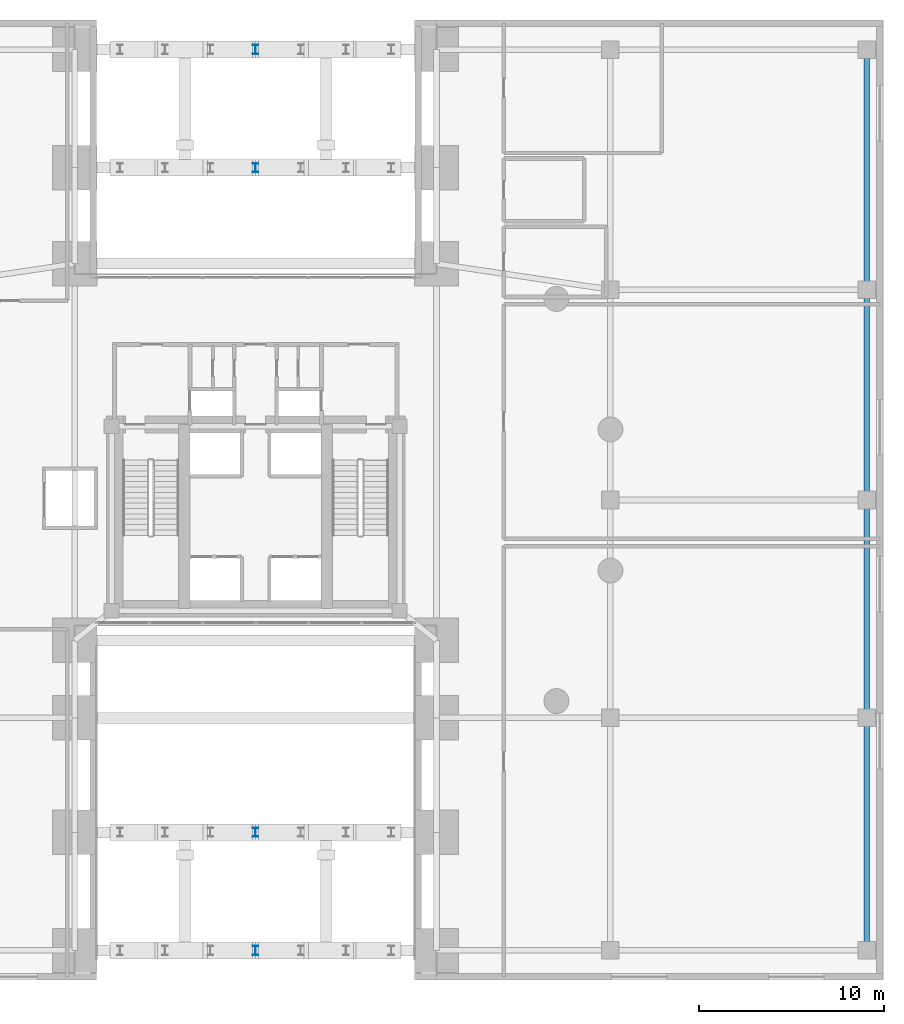
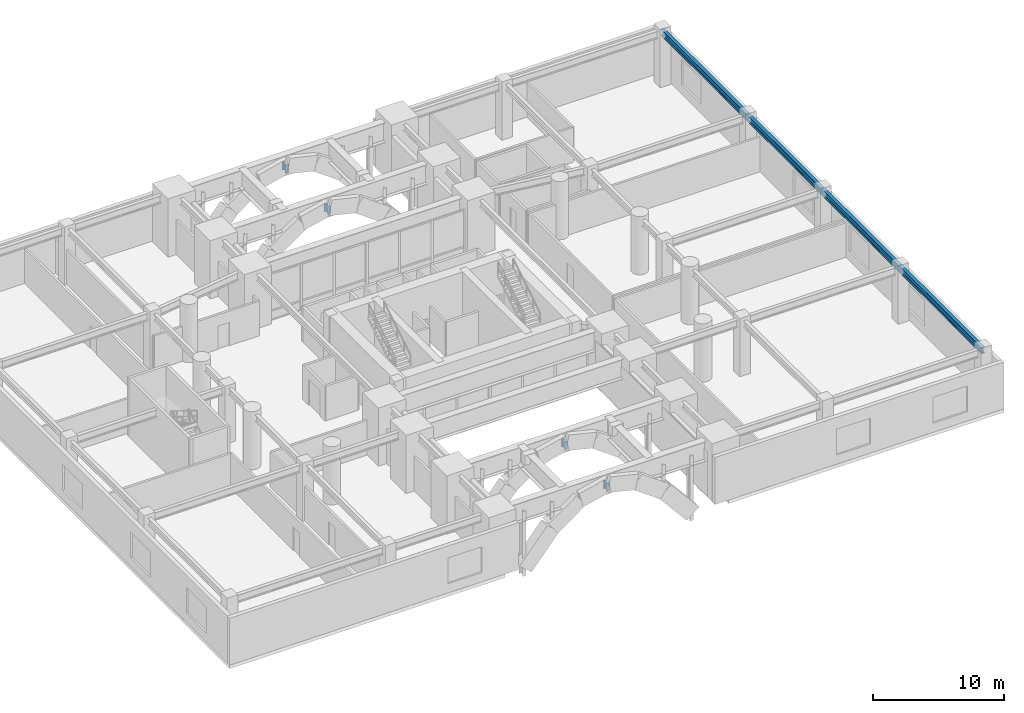
# One storey, part 12 of 18: 4 beams, 4 members.
"""IFC4 building model written with IfcOpenShell, lengths in metres."""

from ifc_helpers import new_model, si_unit, direction, frame, origin, origin_2d, place, context, subcontext, project, spatial, i_section, extrude, material, material_profile, profile_set, type_object, element, save


model = new_model("IFC4")

# Units and contexts
model_context = context("Model", 3, precision=1e-05, world=origin(), true_north=direction((0.0, 1.0)))
body_context = subcontext(model_context, "Body", "Model", "MODEL_VIEW")
ifc_project = project(units=[si_unit("LENGTHUNIT", "METRE"), si_unit("AREAUNIT", "SQUARE_METRE"), si_unit("VOLUMEUNIT", "CUBIC_METRE"), si_unit("PLANEANGLEUNIT", "RADIAN"), si_unit("MASSUNIT", "GRAM", prefix="KILO"), si_unit("THERMODYNAMICTEMPERATUREUNIT", "KELVIN"), si_unit("POWERUNIT", "WATT")], contexts=[model_context])

# Site, building, storey
site_placement = place(None, origin())
site = spatial("IfcSite", under=ifc_project, at=site_placement, CompositionType="ELEMENT")
building_placement = place(site_placement, origin())
building = spatial("IfcBuilding", under=site, at=building_placement, Name="Ocrelia Relay Tower", CompositionType="ELEMENT")
storey_placement = place(building_placement, frame((0.0, 0.0, 10.199951171875)))
storey = spatial("IfcBuildingStorey", under=building, at=storey_placement, Name="L02", CompositionType="ELEMENT", Elevation=10.199951171875)

# Beams
ifc_material = material(Name="Steel S355", Category="steel")
ifc_material_profile_1 = material_profile(ifc_material, i_section(OverallWidth=0.300048828125, OverallDepth=0.60009765625, WebThickness=0.015380859375, FlangeThickness=0.030029296875, FilletRadius=0.027099609375, at=origin_2d()), Name="HEB 600")
ifc_profile_set_1 = profile_set([ifc_material_profile_1], Name="Steel S355")
beam_type = type_object("IfcBeamType", Name="BM-HEB600", PredefinedType="BEAM", material=ifc_profile_set_1)
beam_1_placement = place(storey_placement, frame((67.10009765625, 1.60009765625, 4.780029296875), z_axis=(0.0, 1.0, 0.0), x_axis=(-1.0, 0.0, 0.0)))
element("IfcBeam", 1, at=beam_1_placement, inside=storey, type_object=beam_type, Name="L02 Podium Span Girder E-1", PredefinedType="BEAM", context=body_context, shape_type="SweptSolid", body=[
    extrude(i_section(OverallWidth=0.300048828125, OverallDepth=0.60009765625, WebThickness=0.015380859375, FlangeThickness=0.030029296875, FilletRadius=0.027099609375, at=origin_2d()), origin(), (0.0, 0.0, 1.0), 12.599853515625),
])
beam_2_placement = place(storey_placement, frame((67.10009765625, 14.199951171875, 4.780029296875), z_axis=(0.0, 1.0, 0.0), x_axis=(-1.0, 0.0, 0.0)))
element("IfcBeam", 2, at=beam_2_placement, inside=storey, type_object=beam_type, Name="L02 Podium Span Girder E-2", PredefinedType="BEAM", context=body_context, shape_type="SweptSolid", body=[
    extrude(i_section(OverallWidth=0.300048828125, OverallDepth=0.60009765625, WebThickness=0.015380859375, FlangeThickness=0.030029296875, FilletRadius=0.027099609375, at=origin_2d()), origin(), (0.0, 0.0, 1.0), 11.800048828125),
])
beam_3_placement = place(storey_placement, frame((67.10009765625, 26.0, 4.780029296875), z_axis=(0.0, 1.0, 0.0), x_axis=(-1.0, 0.0, 0.0)))
element("IfcBeam", 3, at=beam_3_placement, inside=storey, type_object=beam_type, Name="L02 Podium Span Girder E-3", PredefinedType="BEAM", context=body_context, shape_type="SweptSolid", body=[
    extrude(i_section(OverallWidth=0.300048828125, OverallDepth=0.60009765625, WebThickness=0.015380859375, FlangeThickness=0.030029296875, FilletRadius=0.027099609375, at=origin_2d()), origin(), (0.0, 0.0, 1.0), 11.39990234375),
])
beam_4_placement = place(storey_placement, frame((67.10009765625, 37.39990234375, 4.780029296875), z_axis=(0.0, 1.0, 0.0), x_axis=(-1.0, 0.0, 0.0)))
element("IfcBeam", 4, at=beam_4_placement, inside=storey, type_object=beam_type, Name="L02 Podium Span Girder E-4", PredefinedType="BEAM", context=body_context, shape_type="SweptSolid", body=[
    extrude(i_section(OverallWidth=0.300048828125, OverallDepth=0.60009765625, WebThickness=0.015380859375, FlangeThickness=0.030029296875, FilletRadius=0.027099609375, at=origin_2d()), origin(), (0.0, 0.0, 1.0), 13.0),
])

# Members
ifc_material_profile_2 = material_profile(ifc_material, i_section(OverallWidth=0.300048828125, OverallDepth=0.5, WebThickness=0.014404296875, FlangeThickness=0.028076171875, FilletRadius=0.027099609375, at=origin_2d()), Name="HEB 500")
ifc_profile_set_2 = profile_set([ifc_material_profile_2], Name="Steel S355")
member_type = type_object("IfcMemberType", Name="MB-RAKER-STRUT", PredefinedType="STRUT", material=ifc_profile_set_2)
for number, where, z_axis, x_axis, name in (
    (5, (34.0, 1.60009765625, 3.405029296875), (0.0, 0.0, 1.0), (1.0, 0.0, 0.0), "Portal Arch Spandrel Hanger S1-4"),
    (6, (34.0, 8.0, 3.405029296875), (0.0, 0.0, 1.0), (1.0, 0.0, 0.0), "Portal Arch Spandrel Hanger S2-4"),
    (7, (34.0, 50.39990234375, 3.405029296875), (0.0, 0.0, 1.0), (1.0, 0.0, 0.0), "Portal Arch Spandrel Hanger N1-4"),
    (8, (34.0, 44.0, 3.405029296875), (0.0, 0.0, 1.0), (1.0, 0.0, 0.0), "Portal Arch Spandrel Hanger N2-4"),
):
    element("IfcMember", number, at=place(storey_placement, frame(where, z_axis=z_axis, x_axis=x_axis)), inside=storey, type_object=member_type, Name=name, PredefinedType="STRUT", context=body_context, shape_type="SweptSolid", body=[
        extrude(i_section(OverallWidth=0.300048828125, OverallDepth=0.5, WebThickness=0.014404296875, FlangeThickness=0.028076171875, FilletRadius=0.027099609375, at=origin_2d()), origin(), (0.0, 0.0, 1.0), 0.75),
    ])

save(model, "model.ifc")
